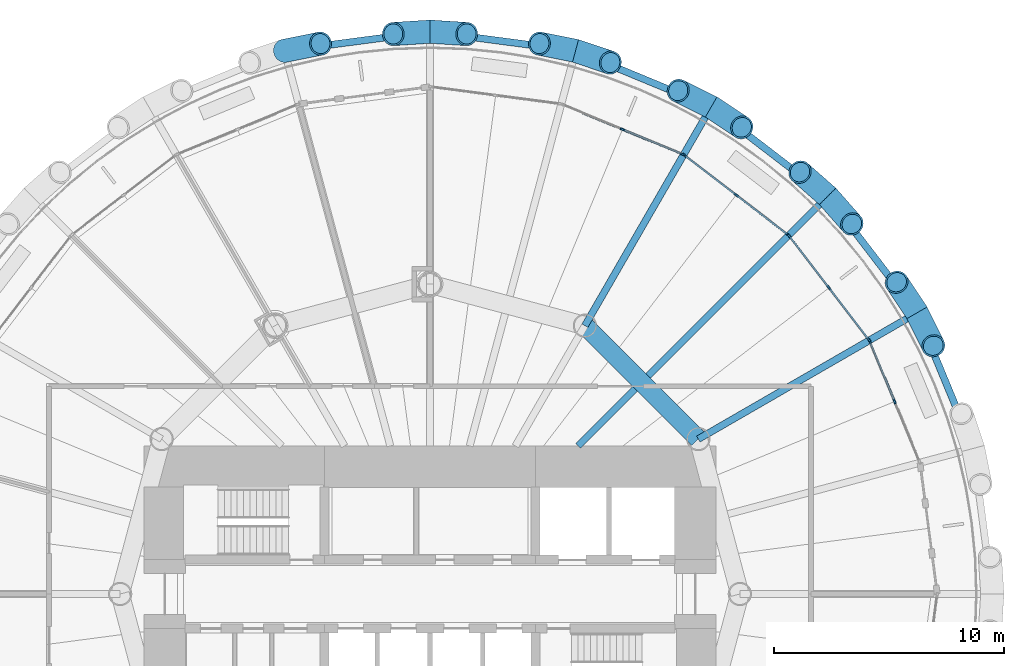
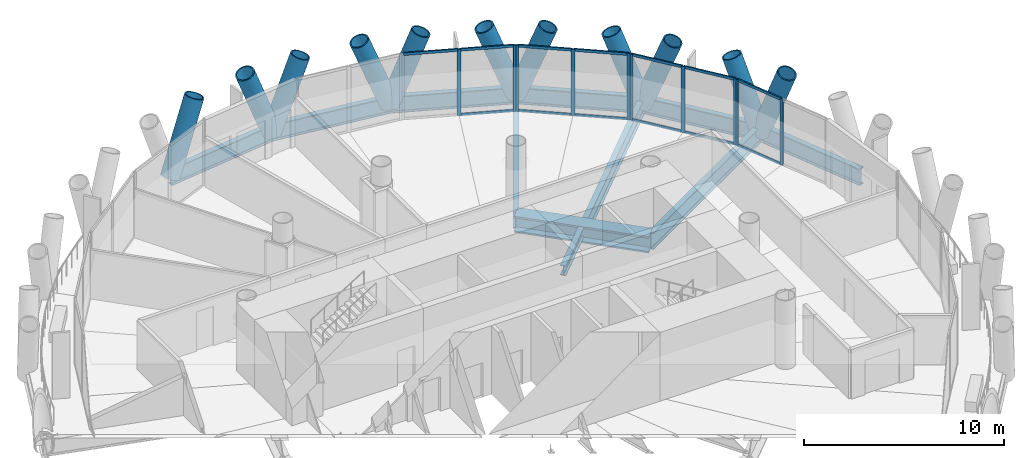
# One storey, part 6 of 15: 34 members, 11 beams, 4 elements without a shape of their own.
"""IFC4 building model written with IfcOpenShell, lengths in metres."""

from ifc_helpers import new_model, si_unit, direction, frame, origin, origin_2d, place, context, subcontext, project, spatial, rectangle, hollow_circle, i_section, extrude, material, material_profile, profile_set, type_object, element, aggregate, save


model = new_model("IFC4")

# Units and contexts
model_context = context("Model", 3, precision=1e-05, world=origin(), true_north=direction((0.0, 1.0)))
body_context = subcontext(model_context, "Body", "Model", "MODEL_VIEW")
ifc_project = project(units=[si_unit("LENGTHUNIT", "METRE"), si_unit("AREAUNIT", "SQUARE_METRE"), si_unit("VOLUMEUNIT", "CUBIC_METRE"), si_unit("PLANEANGLEUNIT", "RADIAN"), si_unit("MASSUNIT", "GRAM", prefix="KILO")], contexts=[model_context])

# Site, building, storey
site_placement = place(None, origin())
site = spatial("IfcSite", under=ifc_project, at=site_placement, CompositionType="ELEMENT")
building_placement = place(site_placement, origin())
building = spatial("IfcBuilding", under=site, at=building_placement, Name="Qaws Media Tower", CompositionType="ELEMENT")
storey_placement = place(building_placement, frame((0.0, 0.0, 177.199951171875)))
storey = spatial("IfcBuildingStorey", under=building, at=storey_placement, Name="L40", CompositionType="ELEMENT", Elevation=177.199951171875)

# Curtain wall, members
ifc_material_1 = material(Name="Aluminium and clear glass", Category="aluminium")
curtain_wall_type = type_object("IfcCurtainWallType", Name="Unitised curtain wall CW-B", PredefinedType="NOTDEFINED", material=ifc_material_1)
curtain_wall_1_placement = place(storey_placement, origin())
curtain_wall_1 = element("IfcCurtainWall", 1, at=curtain_wall_1_placement, inside=storey, type_object=curtain_wall_type, Name="CWB curtain wall L40-02", PredefinedType="NOTDEFINED")
ifc_material_2 = material(Name="Aluminium mullion", Category="aluminium")
ifc_material_profile_1 = material_profile(ifc_material_2, rectangle(XDim=0.080078125, YDim=0.199951171875, at=origin_2d()), Name="80x200")
ifc_profile_set_1 = profile_set([ifc_material_profile_1], Name="Aluminium mullion")
member_type_1 = type_object("IfcMemberType", Name="Curtain wall mullion 80x200", PredefinedType="MULLION", material=ifc_profile_set_1)
member_1_placement = place(storey_placement, frame((80.2431640625, 58.385009765625, 0.0), z_axis=(0.0, 0.0, 1.0), x_axis=(-0.923879489284, -0.382683536724, 0.0)))
member_1 = element("IfcMember", 2, at=member_1_placement, type_object=member_type_1, Name="CWB mullion 2", PredefinedType="MULLION", context=body_context, shape_type="SweptSolid", body=[
    extrude(rectangle(XDim=0.080078125, YDim=0.199951171875, at=origin_2d()), origin(), (0.0, 0.0, 1.0), 4.0400390625),
])
member_2_placement = place(storey_placement, frame((79.154541015625, 61.012939453125, 0.0), z_axis=(0.0, 0.0, 1.0), x_axis=(-0.923879489284, -0.382683536724, 0.0)))
member_2 = element("IfcMember", 3, at=member_2_placement, type_object=member_type_1, Name="CWB mullion 3", PredefinedType="MULLION", context=body_context, shape_type="SweptSolid", body=[
    extrude(rectangle(XDim=0.080078125, YDim=0.199951171875, at=origin_2d()), origin(), (0.0, 0.0, 1.0), 4.0400390625),
])

curtain_wall_2_placement = place(storey_placement, origin())
curtain_wall_2 = element("IfcCurtainWall", 4, at=curtain_wall_2_placement, inside=storey, type_object=curtain_wall_type, Name="CWB curtain wall L40-03", PredefinedType="NOTDEFINED")
member_3_placement = place(storey_placement, frame((79.11474609375, 61.081787109375, 0.0), z_axis=(0.0, 0.0, 1.0), x_axis=(-0.793353395838, -0.608761356619, 0.0)))
member_3 = element("IfcMember", 5, at=member_3_placement, type_object=member_type_1, Name="CWB mullion 1", PredefinedType="MULLION", context=body_context, shape_type="SweptSolid", body=[
    extrude(rectangle(XDim=0.080078125, YDim=0.199951171875, at=origin_2d()), origin(), (0.0, 0.0, 1.0), 4.0400390625),
])
member_4_placement = place(storey_placement, frame((77.383056640625, 63.338623046875, 0.0), z_axis=(0.0, 0.0, 1.0), x_axis=(-0.793353395838, -0.608761356619, 0.0)))
member_4 = element("IfcMember", 6, at=member_4_placement, type_object=member_type_1, Name="CWB mullion 2", PredefinedType="MULLION", context=body_context, shape_type="SweptSolid", body=[
    extrude(rectangle(XDim=0.080078125, YDim=0.199951171875, at=origin_2d()), origin(), (0.0, 0.0, 1.0), 4.0400390625),
])
member_5_placement = place(storey_placement, frame((75.6513671875, 65.59521484375, 0.0), z_axis=(0.0, 0.0, 1.0), x_axis=(-0.793353395838, -0.608761356619, 0.0)))
member_5 = element("IfcMember", 7, at=member_5_placement, type_object=member_type_1, Name="CWB mullion 3", PredefinedType="MULLION", context=body_context, shape_type="SweptSolid", body=[
    extrude(rectangle(XDim=0.080078125, YDim=0.199951171875, at=origin_2d()), origin(), (0.0, 0.0, 1.0), 4.0400390625),
])

curtain_wall_3_placement = place(storey_placement, origin())
curtain_wall_3 = element("IfcCurtainWall", 8, at=curtain_wall_3_placement, inside=storey, type_object=curtain_wall_type, Name="CWB curtain wall L40-04", PredefinedType="NOTDEFINED")
member_6_placement = place(storey_placement, frame((75.59521484375, 65.6513671875, 0.0), z_axis=(0.0, 0.0, 1.0), x_axis=(-0.608761356619, -0.793353395838, 0.0)))
member_6 = element("IfcMember", 9, at=member_6_placement, type_object=member_type_1, Name="CWB mullion 1", PredefinedType="MULLION", context=body_context, shape_type="SweptSolid", body=[
    extrude(rectangle(XDim=0.080078125, YDim=0.199951171875, at=origin_2d()), origin(), (0.0, 0.0, 1.0), 4.0400390625),
])
member_7_placement = place(storey_placement, frame((73.338623046875, 67.383056640625, 0.0), z_axis=(0.0, 0.0, 1.0), x_axis=(-0.608761356619, -0.793353395838, 0.0)))
member_7 = element("IfcMember", 10, at=member_7_placement, type_object=member_type_1, Name="CWB mullion 2", PredefinedType="MULLION", context=body_context, shape_type="SweptSolid", body=[
    extrude(rectangle(XDim=0.080078125, YDim=0.199951171875, at=origin_2d()), origin(), (0.0, 0.0, 1.0), 4.0400390625),
])
member_8_placement = place(storey_placement, frame((71.081787109375, 69.11474609375, 0.0), z_axis=(0.0, 0.0, 1.0), x_axis=(-0.608761356619, -0.793353395838, 0.0)))
member_8 = element("IfcMember", 11, at=member_8_placement, type_object=member_type_1, Name="CWB mullion 3", PredefinedType="MULLION", context=body_context, shape_type="SweptSolid", body=[
    extrude(rectangle(XDim=0.080078125, YDim=0.199951171875, at=origin_2d()), origin(), (0.0, 0.0, 1.0), 4.0400390625),
])

curtain_wall_4_placement = place(storey_placement, origin())
curtain_wall_4 = element("IfcCurtainWall", 12, at=curtain_wall_4_placement, inside=storey, type_object=curtain_wall_type, Name="CWB curtain wall L40-05", PredefinedType="NOTDEFINED")
member_9_placement = place(storey_placement, frame((71.012939453125, 69.154541015625, 0.0), z_axis=(0.0, 0.0, 1.0), x_axis=(-0.382683536724, -0.923879489284, 0.0)))
member_9 = element("IfcMember", 13, at=member_9_placement, type_object=member_type_1, Name="CWB mullion 1", PredefinedType="MULLION", context=body_context, shape_type="SweptSolid", body=[
    extrude(rectangle(XDim=0.080078125, YDim=0.199951171875, at=origin_2d()), origin(), (0.0, 0.0, 1.0), 4.0400390625),
])
member_10_placement = place(storey_placement, frame((68.385009765625, 70.2431640625, 0.0), z_axis=(0.0, 0.0, 1.0), x_axis=(-0.382683536724, -0.923879489284, 0.0)))
member_10 = element("IfcMember", 14, at=member_10_placement, type_object=member_type_1, Name="CWB mullion 2", PredefinedType="MULLION", context=body_context, shape_type="SweptSolid", body=[
    extrude(rectangle(XDim=0.080078125, YDim=0.199951171875, at=origin_2d()), origin(), (0.0, 0.0, 1.0), 4.0400390625),
])

# Member
ifc_material_3 = material(Name="Aluminium transom", Category="aluminium")
ifc_material_profile_2 = material_profile(ifc_material_3, rectangle(XDim=0.080078125, YDim=0.159912109375, at=origin_2d()), Name="80x160")
ifc_profile_set_2 = profile_set([ifc_material_profile_2], Name="Aluminium transom")
member_type_2 = type_object("IfcMemberType", Name="Curtain wall transom 80x160", PredefinedType="USERDEFINED", material=ifc_profile_set_2)
member_11_placement = place(storey_placement, frame((80.227783203125, 58.421875, 0.0400390625), z_axis=(-0.382720946689, 0.923863992677, 0.0), x_axis=(-0.923863992677, -0.382720946689, 0.0)))
member_11 = element("IfcMember", 15, at=member_11_placement, type_object=member_type_2, Name="CWB transom 2.1", ObjectType="TRANSOM", PredefinedType="USERDEFINED", context=body_context, shape_type="SweptSolid", body=[
    extrude(rectangle(XDim=0.080078125, YDim=0.159912109375, at=origin_2d()), origin(), (0.0, 0.0, 1.0), 2.7646484375),
])

member_12_placement = place(storey_placement, frame((80.227783203125, 58.421875, 4.0), z_axis=(-0.382720946689, 0.923863992677, 0.0), x_axis=(-0.923863992677, -0.382720946689, 0.0)))
member_12 = element("IfcMember", 16, at=member_12_placement, type_object=member_type_2, Name="CWB transom 2.2", ObjectType="TRANSOM", PredefinedType="USERDEFINED", context=body_context, shape_type="SweptSolid", body=[
    extrude(rectangle(XDim=0.080078125, YDim=0.159912109375, at=origin_2d()), origin(), (0.0, 0.0, 1.0), 2.7646484375),
])

aggregate(curtain_wall_1, [member_1, member_2, member_11, member_12])

member_13_placement = place(storey_placement, frame((79.090576171875, 61.113525390625, 0.0400390625), z_axis=(-0.608780011624, 0.793339081003, 0.0), x_axis=(-0.793339081003, -0.608780011624, 0.0)))
member_13 = element("IfcMember", 17, at=member_13_placement, type_object=member_type_2, Name="CWB transom 1.1", ObjectType="TRANSOM", PredefinedType="USERDEFINED", context=body_context, shape_type="SweptSolid", body=[
    extrude(rectangle(XDim=0.080078125, YDim=0.159912109375, at=origin_2d()), origin(), (0.0, 0.0, 1.0), 2.7646484375),
])

member_14_placement = place(storey_placement, frame((79.090576171875, 61.113525390625, 4.0), z_axis=(-0.608780011624, 0.793339081003, 0.0), x_axis=(-0.793339081003, -0.608780011624, 0.0)))
member_14 = element("IfcMember", 18, at=member_14_placement, type_object=member_type_2, Name="CWB transom 1.2", ObjectType="TRANSOM", PredefinedType="USERDEFINED", context=body_context, shape_type="SweptSolid", body=[
    extrude(rectangle(XDim=0.080078125, YDim=0.159912109375, at=origin_2d()), origin(), (0.0, 0.0, 1.0), 2.7646484375),
])

member_15_placement = place(storey_placement, frame((77.358642578125, 63.370361328125, 0.0400390625), z_axis=(-0.608767080394, 0.793349003798, 0.0), x_axis=(-0.793349003798, -0.608767080394, 0.0)))
member_15 = element("IfcMember", 19, at=member_15_placement, type_object=member_type_2, Name="CWB transom 2.1", ObjectType="TRANSOM", PredefinedType="USERDEFINED", context=body_context, shape_type="SweptSolid", body=[
    extrude(rectangle(XDim=0.080078125, YDim=0.159912109375, at=origin_2d()), origin(), (0.0, 0.0, 1.0), 2.764404296875),
])

member_16_placement = place(storey_placement, frame((77.358642578125, 63.370361328125, 4.0), z_axis=(-0.608767080394, 0.793349003798, 0.0), x_axis=(-0.793349003798, -0.608767080394, 0.0)))
member_16 = element("IfcMember", 20, at=member_16_placement, type_object=member_type_2, Name="CWB transom 2.2", ObjectType="TRANSOM", PredefinedType="USERDEFINED", context=body_context, shape_type="SweptSolid", body=[
    extrude(rectangle(XDim=0.080078125, YDim=0.159912109375, at=origin_2d()), origin(), (0.0, 0.0, 1.0), 2.764404296875),
])

aggregate(curtain_wall_2, [member_3, member_4, member_5, member_13, member_14, member_15, member_16])

member_17_placement = place(storey_placement, frame((75.5634765625, 65.67578125, 0.0400390625), z_axis=(-0.793349003798, 0.608767080394, 0.0), x_axis=(-0.608767080394, -0.793349003798, 0.0)))
member_17 = element("IfcMember", 21, at=member_17_placement, type_object=member_type_2, Name="CWB transom 1.1", ObjectType="TRANSOM", PredefinedType="USERDEFINED", context=body_context, shape_type="SweptSolid", body=[
    extrude(rectangle(XDim=0.080078125, YDim=0.159912109375, at=origin_2d()), origin(), (0.0, 0.0, 1.0), 2.764404296875),
])

member_18_placement = place(storey_placement, frame((75.5634765625, 65.67578125, 4.0), z_axis=(-0.793349003798, 0.608767080394, 0.0), x_axis=(-0.608767080394, -0.793349003798, 0.0)))
member_18 = element("IfcMember", 22, at=member_18_placement, type_object=member_type_2, Name="CWB transom 1.2", ObjectType="TRANSOM", PredefinedType="USERDEFINED", context=body_context, shape_type="SweptSolid", body=[
    extrude(rectangle(XDim=0.080078125, YDim=0.159912109375, at=origin_2d()), origin(), (0.0, 0.0, 1.0), 2.764404296875),
])

member_19_placement = place(storey_placement, frame((73.306884765625, 67.407470703125, 0.0400390625), z_axis=(-0.793339081003, 0.608780011624, 0.0), x_axis=(-0.608780011624, -0.793339081003, 0.0)))
member_19 = element("IfcMember", 23, at=member_19_placement, type_object=member_type_2, Name="CWB transom 2.1", ObjectType="TRANSOM", PredefinedType="USERDEFINED", context=body_context, shape_type="SweptSolid", body=[
    extrude(rectangle(XDim=0.080078125, YDim=0.159912109375, at=origin_2d()), origin(), (0.0, 0.0, 1.0), 2.7646484375),
])

member_20_placement = place(storey_placement, frame((73.306884765625, 67.407470703125, 4.0), z_axis=(-0.793339081003, 0.608780011624, 0.0), x_axis=(-0.608780011624, -0.793339081003, 0.0)))
member_20 = element("IfcMember", 24, at=member_20_placement, type_object=member_type_2, Name="CWB transom 2.2", ObjectType="TRANSOM", PredefinedType="USERDEFINED", context=body_context, shape_type="SweptSolid", body=[
    extrude(rectangle(XDim=0.080078125, YDim=0.159912109375, at=origin_2d()), origin(), (0.0, 0.0, 1.0), 2.7646484375),
])

aggregate(curtain_wall_3, [member_6, member_7, member_8, member_17, member_18, member_19, member_20])

member_21_placement = place(storey_placement, frame((70.97607421875, 69.169677734375, 0.0400390625), z_axis=(-0.923863992677, 0.382720946689, 0.0), x_axis=(-0.382720946689, -0.923863992677, 0.0)))
member_21 = element("IfcMember", 25, at=member_21_placement, type_object=member_type_2, Name="CWB transom 1.1", ObjectType="TRANSOM", PredefinedType="USERDEFINED", context=body_context, shape_type="SweptSolid", body=[
    extrude(rectangle(XDim=0.080078125, YDim=0.159912109375, at=origin_2d()), origin(), (0.0, 0.0, 1.0), 2.7646484375),
])

member_22_placement = place(storey_placement, frame((70.97607421875, 69.169677734375, 4.0), z_axis=(-0.923863992677, 0.382720946689, 0.0), x_axis=(-0.382720946689, -0.923863992677, 0.0)))
member_22 = element("IfcMember", 26, at=member_22_placement, type_object=member_type_2, Name="CWB transom 1.2", ObjectType="TRANSOM", PredefinedType="USERDEFINED", context=body_context, shape_type="SweptSolid", body=[
    extrude(rectangle(XDim=0.080078125, YDim=0.159912109375, at=origin_2d()), origin(), (0.0, 0.0, 1.0), 2.7646484375),
])

member_23_placement = place(storey_placement, frame((68.347900390625, 70.25830078125, 4.0), z_axis=(-0.923863992677, 0.382720946689, 0.0), x_axis=(-0.382720946689, -0.923863992677, 0.0)))
member_23 = element("IfcMember", 27, at=member_23_placement, type_object=member_type_2, Name="CWB transom 2.2", ObjectType="TRANSOM", PredefinedType="USERDEFINED", context=body_context, shape_type="SweptSolid", body=[
    extrude(rectangle(XDim=0.080078125, YDim=0.159912109375, at=origin_2d()), origin(), (0.0, 0.0, 1.0), 2.7646484375),
])

aggregate(curtain_wall_4, [member_9, member_10, member_21, member_22, member_23])

# Members
ifc_material_4 = material(Name="Steel S460", Category="steel")
ifc_material_profile_3 = material_profile(ifc_material_4, hollow_circle(Radius=0.508056640625, WallThickness=0.070068359375, at=origin_2d()), Name="CHS 1016x70")
ifc_profile_set_3 = profile_set([ifc_material_profile_3], Name="Steel S460")
member_type_3 = type_object("IfcMemberType", Name="Diagrid member CHS 1016x70", PredefinedType="USERDEFINED", material=ifc_profile_set_3)
member_24_placement = place(storey_placement, frame((81.217529296875, 62.25, -0.6640625), z_axis=(-0.197572419648, 0.296684477333, 0.934314433103), x_axis=(-0.832331463576, -0.554278210596, 0.0)))
element("IfcMember", 28, at=member_24_placement, inside=storey, type_object=member_type_3, Name="DG3 diagrid L40 A03", ObjectType="DIAGRID", PredefinedType="USERDEFINED", context=body_context, shape_type="SweptSolid", body=[
    extrude(hollow_circle(Radius=0.508056640625, WallThickness=0.070068359375, at=origin_2d()), origin(), (0.0, 0.0, 1.0), 4.49560546875),
])
for number, where, z_axis, x_axis, name in (
    (29, (81.217529296875, 62.25, -0.6640625), (0.158145235439, -0.319440341639, 0.934316837396), (0.896187594235, 0.44367532717, 0.0), "DG3 diagrid L40 B03"),
    (30, (77.32421875, 67.32421875, -0.6640625), (-0.267630500655, 0.235425775232, 0.934317194252), (-0.660487062234, -0.750837426226, 0.0), "DG3 diagrid L40 A04"),
    (31, (77.32421875, 67.32421875, -0.6640625), (0.235425775232, -0.267630500655, 0.934317194252), (0.750837426226, 0.660487062234, 0.0), "DG3 diagrid L40 B04"),
    (32, (72.25, 71.217529296875, -0.6640625), (-0.319440341639, 0.158145235439, 0.934316837396), (-0.44367532717, -0.896187594235, 0.0), "DG3 diagrid L40 A05"),
):
    element("IfcMember", number, at=place(storey_placement, frame(where, z_axis=z_axis, x_axis=x_axis)), inside=storey, type_object=member_type_3, Name=name, ObjectType="DIAGRID", PredefinedType="USERDEFINED", context=body_context, shape_type="SweptSolid", body=[
        extrude(hollow_circle(Radius=0.508056640625, WallThickness=0.070068359375, at=origin_2d()), origin(), (0.0, 0.0, 1.0), 4.495361328125),
    ])
member_25_placement = place(storey_placement, frame((72.25, 71.217529296875, -0.6640625), z_axis=(0.296684477333, -0.197572419648, 0.934314433103), x_axis=(0.554278210596, 0.832331463576, 0.0)))
element("IfcMember", 33, at=member_25_placement, inside=storey, type_object=member_type_3, Name="DG3 diagrid L40 B05", ObjectType="DIAGRID", PredefinedType="USERDEFINED", context=body_context, shape_type="SweptSolid", body=[
    extrude(hollow_circle(Radius=0.508056640625, WallThickness=0.070068359375, at=origin_2d()), origin(), (0.0, 0.0, 1.0), 4.49560546875),
])
for number, where, z_axis, x_axis, name in (
    (34, (66.341064453125, 73.665283203125, -0.6640625), (-0.349474968341, 0.070057919061, 0.934322821342), (-0.196555640573, -0.98049267216, 0.0), "DG3 diagrid L40 A06"),
    (35, (66.341064453125, 73.665283203125, -0.6640625), (0.33768784042, -0.114101343313, 0.93431675886), (0.320110317881, 0.947380274434, 0.0), "DG3 diagrid L40 B06"),
    (36, (60.0, 74.5, -0.6640625), (-0.355717957348, -0.022755087653, 0.934316295912), (0.063838981491, -0.997960211853, 0.0), "DG3 diagrid L40 A07"),
    (37, (60.0, 74.5, -0.6640625), (0.355717957348, -0.022755087653, 0.934316295912), (0.063838981491, 0.997960211853, 0.0), "DG3 diagrid L40 B07"),
    (38, (53.658935546875, 73.665283203125, -0.6640625), (0.349474968341, 0.070057919061, 0.934322821342), (-0.196555640573, 0.98049267216, 0.0), "DG3 diagrid L40 B08"),
):
    element("IfcMember", number, at=place(storey_placement, frame(where, z_axis=z_axis, x_axis=x_axis)), inside=storey, type_object=member_type_3, Name=name, ObjectType="DIAGRID", PredefinedType="USERDEFINED", context=body_context, shape_type="SweptSolid", body=[
        extrude(hollow_circle(Radius=0.508056640625, WallThickness=0.070068359375, at=origin_2d()), origin(), (0.0, 0.0, 1.0), 4.495361328125),
    ])

# Beams
ifc_material_5 = material(Name="Steel S460", Category="steel")
ifc_material_profile_4 = material_profile(ifc_material_5, i_section(OverallWidth=0.302001953125, OverallDepth=1.008056640625, WebThickness=0.02099609375, FlangeThickness=0.0400390625, FilletRadius=0.030029296875, at=origin_2d()), Name="HE 1000 M")
ifc_profile_set_4 = profile_set([ifc_material_profile_4], Name="Steel S460")
beam_type_1 = type_object("IfcBeamType", Name="Edge ring beam HE 1000 M", PredefinedType="BEAM", material=ifc_profile_set_4)
for number, where, z_axis, x_axis, name in (
    (39, (83.665283203125, 56.341064453125, -0.6640625), (-0.382709143949, 0.923868882006, 0.0), (-0.923868882006, -0.382709143949, 0.0), "RB3 edge ring beam L40-02"),
    (40, (81.217529296875, 62.25, -0.6640625), (-0.60873442055, 0.79337406388, 0.0), (-0.79337406388, -0.60873442055, 0.0), "RB3 edge ring beam L40-03"),
    (41, (77.32421875, 67.32421875, -0.6640625), (-0.79337406388, 0.60873442055, 0.0), (-0.60873442055, -0.79337406388, 0.0), "RB3 edge ring beam L40-04"),
    (42, (72.25, 71.217529296875, -0.6640625), (-0.923868882006, 0.382709143949, 0.0), (-0.382709143949, -0.923868882006, 0.0), "RB3 edge ring beam L40-05"),
    (43, (66.341064453125, 73.665283203125, -0.6640625), (-0.991446888172, 0.130510796237, 0.0), (-0.130510796237, -0.991446888172, 0.0), "RB3 edge ring beam L40-06"),
    (44, (60.0, 74.5, -0.6640625), (-0.991446888172, -0.130510796237, 0.0), (0.130510796237, -0.991446888172, 0.0), "RB3 edge ring beam L40-07"),
):
    element("IfcBeam", number, at=place(storey_placement, frame(where, z_axis=z_axis, x_axis=x_axis)), inside=storey, type_object=beam_type_1, Name=name, PredefinedType="BEAM", context=body_context, shape_type="SweptSolid", body=[
        extrude(i_section(OverallWidth=0.302001953125, OverallDepth=1.008056640625, WebThickness=0.02099609375, FlangeThickness=0.0400390625, FilletRadius=0.030029296875, at=origin_2d()), origin(), (0.0, 0.0, 1.0), 6.395751953125),
    ])
ifc_material_6 = material(Name="Steel S460", Category="steel")
ifc_material_profile_5 = material_profile(ifc_material_6, i_section(OverallWidth=0.800048828125, OverallDepth=1.0, WebThickness=0.0400390625, FlangeThickness=0.10009765625, at=origin_2d()), Name="PG 1000x800")
ifc_profile_set_5 = profile_set([ifc_material_profile_5], Name="Steel S460")
beam_type_2 = type_object("IfcBeamType", Name="Inner ring girder PG 1000x800", PredefinedType="BEAM", material=ifc_profile_set_5)
beam_1_placement = place(storey_placement, frame((71.69140625, 56.75, -0.659912109375), z_axis=(-0.707106781187, 0.707106781187, 0.0), x_axis=(-0.707106781187, -0.707106781187, 0.0)))
element("IfcBeam", 45, at=beam_1_placement, inside=storey, type_object=beam_type_2, Name="B3 inner ring beam L40 I02-I03", PredefinedType="BEAM", context=body_context, shape_type="SweptSolid", body=[
    extrude(i_section(OverallWidth=0.800048828125, OverallDepth=1.0, WebThickness=0.0400390625, FlangeThickness=0.10009765625, at=origin_2d()), origin(), (0.0, 0.0, 1.0), 6.98828125),
])
ifc_material_7 = material(Name="Steel S355", Category="steel")
ifc_material_profile_6 = material_profile(ifc_material_7, i_section(OverallWidth=0.302001953125, OverallDepth=1.008056640625, WebThickness=0.02099609375, FlangeThickness=0.0400390625, FilletRadius=0.030029296875, at=origin_2d()), Name="HE 1000 M")
ifc_profile_set_6 = profile_set([ifc_material_profile_6], Name="Steel S355")
beam_type_3 = type_object("IfcBeamType", Name="Radial beam HE 1000 M", PredefinedType="BEAM", material=ifc_profile_set_6)
beam_2_placement = place(storey_placement, frame((71.69140625, 56.75, -0.6640625), z_axis=(0.866021849293, 0.50000615651, 0.0), x_axis=(-0.50000615651, 0.866021849293, 0.0)))
element("IfcBeam", 46, at=beam_2_placement, inside=storey, type_object=beam_type_3, Name="B1 radial beam L40 03", PredefinedType="BEAM", context=body_context, shape_type="SweptSolid", body=[
    extrude(i_section(OverallWidth=0.302001953125, OverallDepth=1.008056640625, WebThickness=0.02099609375, FlangeThickness=0.0400390625, FilletRadius=0.030029296875, at=origin_2d()), origin(), (0.0, 0.0, 1.0), 10.999755859375),
])
beam_3_placement = place(storey_placement, frame((69.50341796875, 59.50341796875, -0.6640625), z_axis=(0.707106781187, 0.707106781187, 0.0), x_axis=(-0.707106781187, 0.707106781187, 0.0)))
element("IfcBeam", 47, at=beam_3_placement, inside=storey, type_object=beam_type_3, Name="B1 radial beam L40 04", PredefinedType="BEAM", context=body_context, shape_type="SweptSolid", body=[
    extrude(i_section(OverallWidth=0.302001953125, OverallDepth=1.008056640625, WebThickness=0.02099609375, FlangeThickness=0.0400390625, FilletRadius=0.030029296875, at=origin_2d()), origin(), (0.0, 0.0, 1.0), 11.060302734375),
])
beam_4_placement = place(storey_placement, frame((66.75, 61.69140625, -0.6640625), z_axis=(0.50000615651, 0.866021849293, 0.0), x_axis=(-0.866021849293, 0.50000615651, 0.0)))
element("IfcBeam", 48, at=beam_4_placement, inside=storey, type_object=beam_type_3, Name="B1 radial beam L40 05", PredefinedType="BEAM", context=body_context, shape_type="SweptSolid", body=[
    extrude(i_section(OverallWidth=0.302001953125, OverallDepth=1.008056640625, WebThickness=0.02099609375, FlangeThickness=0.0400390625, FilletRadius=0.030029296875, at=origin_2d()), origin(), (0.0, 0.0, 1.0), 10.999755859375),
])
ifc_material_8 = material(Name="Steel S355", Category="steel")
ifc_material_profile_7 = material_profile(ifc_material_8, i_section(OverallWidth=0.304931640625, OverallDepth=0.6201171875, WebThickness=0.02099609375, FlangeThickness=0.0400390625, FilletRadius=0.027099609375, at=origin_2d()), Name="HE 600 M")
ifc_profile_set_7 = profile_set([ifc_material_profile_7], Name="Steel S355")
beam_type_4 = type_object("IfcBeamType", Name="Radial beam HE 600 M, core side", PredefinedType="BEAM", material=ifc_profile_set_7)
beam_5_placement = place(storey_placement, frame((66.449951171875, 56.449951171875, -0.469970703125), z_axis=(0.707106781187, 0.707106781187, 0.0), x_axis=(-0.707106781187, 0.707106781187, 0.0)))
element("IfcBeam", 49, at=beam_5_placement, inside=storey, type_object=beam_type_4, Name="B2 radial beam L40 04", PredefinedType="BEAM", context=body_context, shape_type="SweptSolid", body=[
    extrude(i_section(OverallWidth=0.304931640625, OverallDepth=0.6201171875, WebThickness=0.02099609375, FlangeThickness=0.0400390625, FilletRadius=0.027099609375, at=origin_2d()), origin(), (0.0, 0.0, 1.0), 3.518310546875),
])

save(model, "model.ifc")
